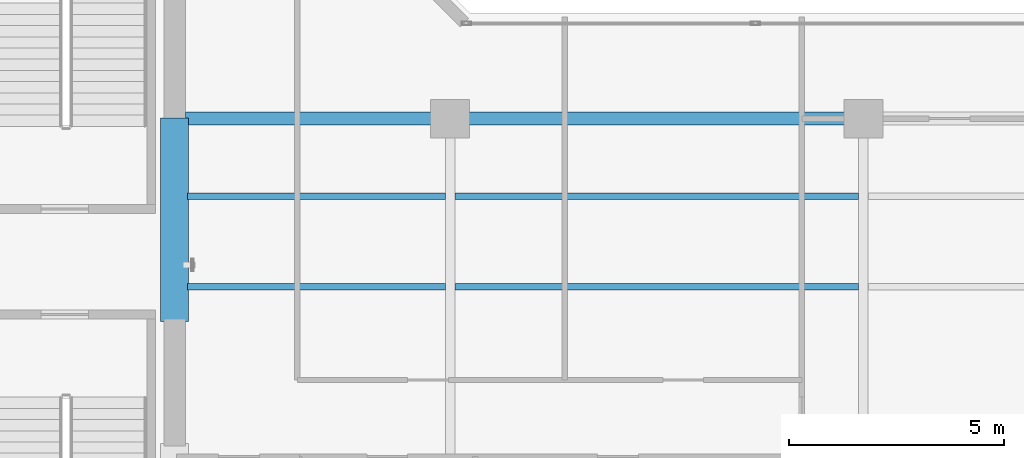
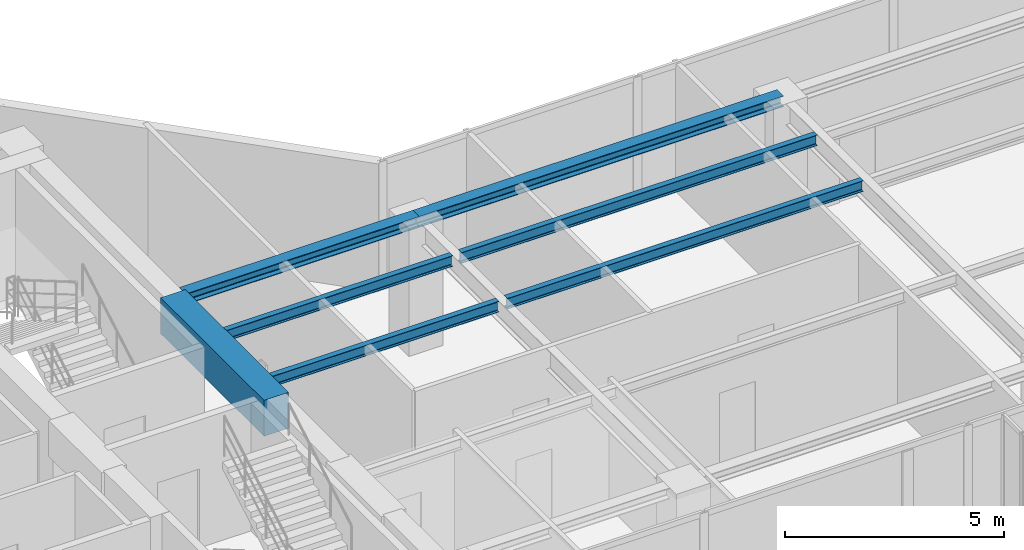
# One storey, part 6 of 24: 7 beams.
"""IFC4 building model written with IfcOpenShell, lengths in metres."""

from ifc_helpers import new_model, si_unit, direction, frame, origin, origin_2d, place, context, subcontext, project, spatial, rectangle, i_section, extrude, material, material_profile, profile_set, type_object, element, save


model = new_model("IFC4")

# Units and contexts
model_context = context("Model", 3, precision=1e-05, world=origin(), true_north=direction((0.0, 1.0)))
body_context = subcontext(model_context, "Body", "Model", "MODEL_VIEW")
ifc_project = project(units=[si_unit("LENGTHUNIT", "METRE"), si_unit("AREAUNIT", "SQUARE_METRE"), si_unit("VOLUMEUNIT", "CUBIC_METRE"), si_unit("PLANEANGLEUNIT", "RADIAN"), si_unit("MASSUNIT", "GRAM", prefix="KILO")], contexts=[model_context])

# Site, building, storey
site_placement = place(None, origin())
site = spatial("IfcSite", under=ifc_project, at=site_placement, CompositionType="ELEMENT")
building_placement = place(site_placement, origin())
building = spatial("IfcBuilding", under=site, at=building_placement, Name="Kolvaren Waterfront Exchange", CompositionType="ELEMENT")
storey_placement = place(building_placement, frame((0.0, 0.0, 316.0)))
storey = spatial("IfcBuildingStorey", under=building, at=storey_placement, Name="L81", CompositionType="ELEMENT", Elevation=316.0)

# Beams
ifc_material_1 = material(Name="Steel S355", Category="steel")
ifc_material_profile_1 = material_profile(ifc_material_1, i_section(OverallWidth=0.300048828125, OverallDepth=0.300048828125, WebThickness=0.010986328125, FlangeThickness=0.01904296875, FilletRadius=0.027099609375, at=origin_2d()), Name="HEB300")
ifc_profile_set_1 = profile_set([ifc_material_profile_1], Name="Steel S355")
beam_type_1 = type_object("IfcBeamType", Name="STR-BM-HEB300", PredefinedType="SPANDREL", material=ifc_profile_set_1)
beam_1_placement = place(storey_placement, frame((21.050048828125, 17.39990234375, 3.409912109375), z_axis=(1.0, 0.0, 0.0), x_axis=(0.0, 1.0, 0.0)))
element("IfcBeam", 1, at=beam_1_placement, inside=storey, type_object=beam_type_1, Name="L81 east-arm spandrel N1", PredefinedType="SPANDREL", context=body_context, shape_type="SweptSolid", body=[
    extrude(i_section(OverallWidth=0.300048828125, OverallDepth=0.300048828125, WebThickness=0.010986328125, FlangeThickness=0.01904296875, FilletRadius=0.027099609375, at=origin_2d()), origin(), (0.0, 0.0, 1.0), 6.14990234375),
])
beam_2_placement = place(storey_placement, frame((27.199951171875, 17.39990234375, 3.409912109375), z_axis=(1.0, 0.0, 0.0), x_axis=(0.0, 1.0, 0.0)))
element("IfcBeam", 2, at=beam_2_placement, inside=storey, type_object=beam_type_1, Name="L81 east-arm spandrel N2", PredefinedType="SPANDREL", context=body_context, shape_type="SweptSolid", body=[
    extrude(i_section(OverallWidth=0.300048828125, OverallDepth=0.300048828125, WebThickness=0.010986328125, FlangeThickness=0.01904296875, FilletRadius=0.027099609375, at=origin_2d()), origin(), (0.0, 0.0, 1.0), 9.60009765625),
])
ifc_material_profile_2 = material_profile(ifc_material_1, i_section(OverallWidth=0.14990234375, OverallDepth=0.300048828125, WebThickness=0.007080078125, FlangeThickness=0.0107421875, FilletRadius=0.014892578125, at=origin_2d()), Name="IPE300")
ifc_profile_set_2 = profile_set([ifc_material_profile_2], Name="Steel S355")
beam_type_2 = type_object("IfcBeamType", Name="STR-BM-IPE300", PredefinedType="JOIST", material=ifc_profile_set_2)
for number, where, z_axis, x_axis, name in (
    (3, (21.10009765625, 13.5, 3.409912109375), (1.0, 0.0, 0.0), (0.0, 1.0, 0.0), "L81 east-arm composite joist 1A"),
    (4, (21.10009765625, 15.60009765625, 3.409912109375), (1.0, 0.0, 0.0), (0.0, 1.0, 0.0), "L81 east-arm composite joist 1C"),
):
    element("IfcBeam", number, at=place(storey_placement, frame(where, z_axis=z_axis, x_axis=x_axis)), inside=storey, type_object=beam_type_2, Name=name, PredefinedType="JOIST", context=body_context, shape_type="SweptSolid", body=[
        extrude(i_section(OverallWidth=0.14990234375, OverallDepth=0.300048828125, WebThickness=0.007080078125, FlangeThickness=0.0107421875, FilletRadius=0.014892578125, at=origin_2d()), origin(), (0.0, 0.0, 1.0), 5.98779296875),
    ])
for number, where, z_axis, x_axis, name in (
    (5, (27.31201171875, 13.5, 3.409912109375), (1.0, 0.0, 0.0), (0.0, 1.0, 0.0), "L81 east-arm composite joist 2A"),
    (6, (27.31201171875, 15.60009765625, 3.409912109375), (1.0, 0.0, 0.0), (0.0, 1.0, 0.0), "L81 east-arm composite joist 2C"),
):
    element("IfcBeam", number, at=place(storey_placement, frame(where, z_axis=z_axis, x_axis=x_axis)), inside=storey, type_object=beam_type_2, Name=name, PredefinedType="JOIST", context=body_context, shape_type="SweptSolid", body=[
        extrude(i_section(OverallWidth=0.14990234375, OverallDepth=0.300048828125, WebThickness=0.007080078125, FlangeThickness=0.0107421875, FilletRadius=0.014892578125, at=origin_2d()), origin(), (0.0, 0.0, 1.0), 9.3759765625),
    ])
ifc_material_2 = material(Name="Concrete C60/75", Category="concrete")
ifc_material_profile_3 = material_profile(ifc_material_2, rectangle(XDim=0.64990234375, YDim=1.0, at=origin_2d()), Name="RC-CB-1000x650")
ifc_profile_set_3 = profile_set([ifc_material_profile_3], Name="Concrete C60/75")
beam_type_3 = type_object("IfcBeamType", Name="STR-CB-1000", PredefinedType="SPANDREL", material=ifc_profile_set_3)
beam_3_placement = place(storey_placement, frame((20.800048828125, 12.68994140625, 3.06005859375), z_axis=(0.0, 1.0, 0.0), x_axis=(-1.0, 0.0, 0.0)))
element("IfcBeam", 7, at=beam_3_placement, inside=storey, type_object=beam_type_3, Name="L81 core coupling beam 2", PredefinedType="SPANDREL", context=body_context, shape_type="SweptSolid", body=[
    extrude(rectangle(XDim=0.64990234375, YDim=1.0, at=origin_2d()), origin(), (0.0, 0.0, 1.0), 4.719970703125),
])

save(model, "model.ifc")
